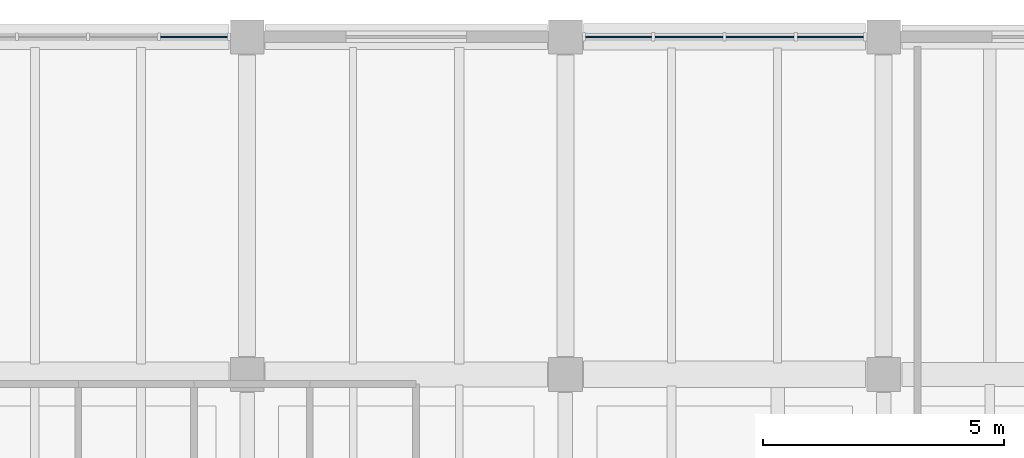
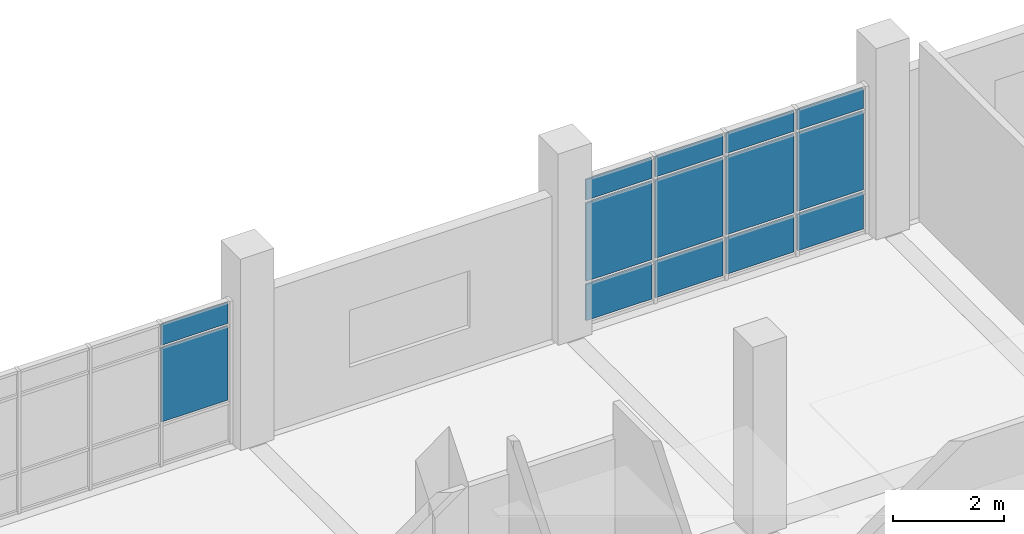
# One storey, part 10 of 20: 14 plates, 2 elements without a shape of their own.
"""IFC4 building model written with IfcOpenShell, lengths in metres."""

import ifcopenshell
import ifcopenshell.guid

model = None  # the IFC model being written
_history = None  # IfcOwnerHistory: only IFC2X3 demands one
_inside = {}  # id of a spatial element -> (the spatial element, [elements in it])
_under = {}  # id of a project, library or spatial element -> (it, [spatial elements below it])
_declared = {}  # id of a project -> (the project, [libraries it declares])
_typed = {}  # id of a type object -> (the type object, [elements of that type])
_made_of = {}  # id of a material, layer set ... -> (it, [elements and type objects made of it])


def new_model(schema):
    """Start an empty IFC model of exactly this schema.

    Asked for "IFC4X3", IfcOpenShell would pick the latest addendum, in which some entities
    have other attributes; the version numbers below select the first issue.
    IFC2X3 requires an IfcOwnerHistory on every rooted entity: one is made here for all.
    """
    global model, _history
    if schema == "IFC4X3":
        model = ifcopenshell.file(schema_version=(4, 3, 0, 0))
    else:
        model = ifcopenshell.file(schema=schema)
    _inside.clear()
    _under.clear()
    _declared.clear()
    _typed.clear()
    _made_of.clear()
    _history = None
    if model.schema == "IFC2X3":
        org = make("IfcOrganization", Name="unknown")
        user = make(
            "IfcPersonAndOrganization",
            ThePerson=make("IfcPerson", FamilyName="unknown"),
            TheOrganization=org,
        )
        app = make(
            "IfcApplication",
            ApplicationDeveloper=org,
            Version="unknown",
            ApplicationFullName="unknown",
            ApplicationIdentifier="unknown",
        )
        _history = make(
            "IfcOwnerHistory",
            OwningUser=user,
            OwningApplication=app,
            ChangeAction="ADDED",
            CreationDate=0,
        )
    return model


def make(cls, **values):
    """One entity of the class cls with the attributes given. An attribute that is None is left unset."""
    return model.create_entity(
        cls, **{name: value for name, value in values.items() if value is not None}
    )


def rooted(cls, **values):
    """An entity with a GlobalId (a new one), such as an element, a storey or a relation."""
    return make(cls, GlobalId=ifcopenshell.guid.new(), OwnerHistory=_history, **values)


def si_unit(unit_type, name, prefix=None):
    """IfcSIUnit, for example si_unit("LENGTHUNIT", "METRE", prefix="MILLI")."""
    return make("IfcSIUnit", UnitType=unit_type, Prefix=prefix, Name=name)


def assignment(units):
    """IfcUnitAssignment: the units of a project."""
    return None if units is None else make("IfcUnitAssignment", Units=units)


def point(xyz):
    """IfcCartesianPoint."""
    return None if xyz is None else make("IfcCartesianPoint", Coordinates=xyz)


def direction(xyz):
    """IfcDirection."""
    return None if xyz is None else make("IfcDirection", DirectionRatios=xyz)


def frame(location, z_axis=None, x_axis=None):
    """IfcAxis2Placement3D, a coordinate frame: its origin and axes. An axis left out is left unset."""
    return make(
        "IfcAxis2Placement3D",
        Location=point(location),
        Axis=direction(z_axis),
        RefDirection=direction(x_axis),
    )


def frame_2d(location, x_axis=None):
    """IfcAxis2Placement2D, a coordinate frame in the plane: its origin and x axis."""
    return make(
        "IfcAxis2Placement2D", Location=point(location), RefDirection=direction(x_axis)
    )


def origin():
    """The frame at (0, 0, 0) with its axes left unset."""
    return frame((0.0, 0.0, 0.0))


def origin_2d():
    """The frame at (0, 0) in the plane with its x axis left unset."""
    return frame_2d((0.0, 0.0))


def place(relative_to, where):
    """IfcLocalPlacement: puts the frame where relative to a parent placement (None: the world)."""
    return make(
        "IfcLocalPlacement", PlacementRelTo=relative_to, RelativePlacement=where
    )


def context(
    kind, dimensions, precision=None, world=None, true_north=None, identifier=None
):
    """IfcGeometricRepresentationContext, for example the 3D "Model" context."""
    return make(
        "IfcGeometricRepresentationContext",
        ContextIdentifier=identifier,
        ContextType=kind,
        CoordinateSpaceDimension=dimensions,
        Precision=precision,
        WorldCoordinateSystem=world,
        TrueNorth=true_north,
    )


def subcontext(parent, identifier, kind, view, scale=None):
    """IfcGeometricRepresentationSubContext, for example "Body" below "Model"."""
    return make(
        "IfcGeometricRepresentationSubContext",
        ContextIdentifier=identifier,
        ContextType=kind,
        ParentContext=parent,
        TargetScale=scale,
        TargetView=view,
    )


def project(units=None, contexts=None):
    """IfcProject with its units and contexts."""
    return rooted(
        "IfcProject",
        Name="project",
        RepresentationContexts=contexts,
        UnitsInContext=assignment(units),
    )


def spatial(cls, under=None, at=None, **own):
    """A site, building, storey or space (cls), placed at a placement, below another one or the project."""
    s = rooted(cls, ObjectPlacement=at, **own)
    if under is not None:
        _under.setdefault(under.id(), (under, []))[1].append(s)
    return s


def profile(cls, at=None, kind="AREA", **sizes):
    """A parametric profile (cls). Its sizes go by their IFC names, for example OverallWidth=200.0."""
    return make(cls, ProfileType=kind, Position=at, **sizes)


def rectangle(**sizes):
    """IfcRectangleProfileDef."""
    return profile("IfcRectangleProfileDef", **sizes)


def extrude(swept, where, along, depth):
    """IfcExtrudedAreaSolid: the profile swept, set in the frame where, extruded along a direction by depth."""
    return make(
        "IfcExtrudedAreaSolid",
        SweptArea=swept,
        Position=where,
        ExtrudedDirection=direction(along),
        Depth=depth,
    )


def shape(context_of_items, identifier, shape_type, items):
    """IfcShapeRepresentation: the items that make up one representation, for example the "Body"."""
    return make(
        "IfcShapeRepresentation",
        ContextOfItems=context_of_items,
        RepresentationIdentifier=identifier,
        RepresentationType=shape_type,
        Items=items,
    )


def material(Name=None, Category=None):
    """IfcMaterial."""
    return make("IfcMaterial", Name=Name, Category=Category)


def layer(
    of_material, thickness, ventilated=None, Name=None, Category=None, Priority=None
):
    """IfcMaterialLayer: one layer of a wall or slab, of a material (None: an air gap)."""
    return make(
        "IfcMaterialLayer",
        Material=of_material,
        LayerThickness=thickness,
        IsVentilated=ventilated,
        Name=Name,
        Category=Category,
        Priority=Priority,
    )


def layer_set(layers, Name=None):
    """IfcMaterialLayerSet."""
    return make("IfcMaterialLayerSet", MaterialLayers=layers, LayerSetName=Name)


def made_of(thing, what):
    """Note that an element or type object is made of a material, layer set ...; save() writes the relation."""
    if what is not None:
        _made_of.setdefault(what.id(), (what, []))[1].append(thing)
    return thing


def type_object(cls, material=None, **own):
    """A type object (cls), such as IfcWallType, which elements share."""
    return made_of(rooted(cls, **own), material)


def element(
    cls,
    number,
    at=None,
    inside=None,
    cuts=None,
    type_object=None,
    material=None,
    context=None,
    identifier="Body",
    shape_type=None,
    held_by="IfcProductDefinitionShape",
    body=None,
    shapes=None,
    **own,
):
    """One element of the class cls, such as IfcWall. Its Tag is "e" and its number.

    at: its placement. inside: the storey or other place that contains it. cuts: it is an
    opening in that element (IfcRelVoidsElement). A single representation is given by context,
    identifier, shape_type and body (its items); several are given by shapes. held_by: the class
    of the entity that holds the representations. save() writes the other relations.
    """
    e = rooted(cls, Tag="e%d" % number, ObjectPlacement=at, **own)
    if body is not None:
        shapes = [shape(context, identifier, shape_type, body)]
    if shapes is not None:
        e.Representation = make(held_by, Representations=shapes)
    if inside is not None:
        _inside.setdefault(inside.id(), (inside, []))[1].append(e)
    if cuts is not None:
        rooted(
            "IfcRelVoidsElement", RelatingBuildingElement=cuts, RelatedOpeningElement=e
        )
    if type_object is not None:
        _typed.setdefault(type_object.id(), (type_object, []))[1].append(e)
    return made_of(e, material)


def aggregate(whole, parts):
    """IfcRelAggregates: a whole, such as a stair, and the parts it consists of."""
    return rooted("IfcRelAggregates", RelatingObject=whole, RelatedObjects=parts)


def save(model, path):
    """Write the relations noted so far, then the file.

    IfcRelAggregates (storeys below a building ...), IfcRelContainedInSpatialStructure (elements
    in a storey), IfcRelDefinesByType, IfcRelAssociatesMaterial and IfcRelDeclares: one each for
    every whole, place, type object, material and project.
    """
    for whole, parts in _under.values():
        aggregate(whole, parts)
    for where, things in _inside.values():
        rooted(
            "IfcRelContainedInSpatialStructure",
            RelatedElements=things,
            RelatingStructure=where,
        )
    for kind, things in _typed.values():
        rooted("IfcRelDefinesByType", RelatedObjects=things, RelatingType=kind)
    for what, things in _made_of.values():
        rooted("IfcRelAssociatesMaterial", RelatedObjects=things, RelatingMaterial=what)
    for by, libraries in _declared.values():
        rooted("IfcRelDeclares", RelatingContext=by, RelatedDefinitions=libraries)
    model.write(path)


model = new_model("IFC4")

# Units and contexts
model_context = context("Model", 3, precision=1e-05, world=origin(), true_north=direction((0.0, 1.0)))
body_context = subcontext(model_context, "Body", "Model", "MODEL_VIEW")
ifc_project = project(units=[si_unit("LENGTHUNIT", "METRE"), si_unit("AREAUNIT", "SQUARE_METRE"), si_unit("VOLUMEUNIT", "CUBIC_METRE"), si_unit("PLANEANGLEUNIT", "RADIAN"), si_unit("MASSUNIT", "GRAM", prefix="KILO")], contexts=[model_context])

# Site, building, storey
site_placement = place(None, origin())
site = spatial("IfcSite", under=ifc_project, at=site_placement, CompositionType="ELEMENT")
building_placement = place(site_placement, origin())
building = spatial("IfcBuilding", under=site, at=building_placement, Name="Ciguamira Faculty of Natural Sciences", CompositionType="ELEMENT")
storey_placement = place(building_placement, frame((0.0, 0.0, 21.0)))
storey = spatial("IfcBuildingStorey", under=building, at=storey_placement, Name="L05", CompositionType="ELEMENT", Elevation=21.0)

# Curtain wall, plates
ifc_material_1 = material(Name="Anodized aluminium curtain wall", Category="aluminium")
curtain_wall_type_1 = type_object("IfcCurtainWallType", Name="CurtainWall_CW-07", PredefinedType="USERDEFINED", material=ifc_material_1)
curtain_wall_1_placement = place(storey_placement, origin())
curtain_wall_1 = element("IfcCurtainWall", 1, at=curtain_wall_1_placement, inside=storey, type_object=curtain_wall_type_1, Name="L05 unitised curtain wall 0139", ObjectType="UNITISED CURTAIN WALL", PredefinedType="USERDEFINED")
ifc_material_2 = material(Name="Low-E laminated solar glass", Category="glass")
ifc_layer_1 = layer(ifc_material_2, 0.028076171875, Name="Low-E laminated solar glass")
ifc_layer_set_1 = layer_set([ifc_layer_1], Name="Low-E laminated solar glass")
plate_type_1 = type_object("IfcPlateType", Name="CWPanel_CWP-01", PredefinedType="CURTAIN_PANEL", material=ifc_layer_set_1)
plate_1_placement = place(storey_placement, frame((89.197509765625, 115.0, 0.929931640625), z_axis=(0.0, 0.0, 1.0), x_axis=(1.0, 0.0, 0.0)))
plate_1 = element("IfcPlate", 2, at=plate_1_placement, type_object=plate_type_1, Name="CW-07 panel 4.2", PredefinedType="CURTAIN_PANEL", context=body_context, shape_type="SweptSolid", body=[
    extrude(rectangle(XDim=1.385009765625, YDim=0.028076171875, at=origin_2d()), origin(), (0.0, 0.0, 1.0), 1.625),
])
plate_2_placement = place(storey_placement, frame((89.197509765625, 115.0, 2.614990234375), z_axis=(0.0, 0.0, 1.0), x_axis=(1.0, 0.0, 0.0)))
plate_2 = element("IfcPlate", 3, at=plate_2_placement, type_object=plate_type_1, Name="CW-07 panel 4.3", PredefinedType="CURTAIN_PANEL", context=body_context, shape_type="SweptSolid", body=[
    extrude(rectangle(XDim=1.385009765625, YDim=0.028076171875, at=origin_2d()), origin(), (0.0, 0.0, 1.0), 0.4599609375),
])
aggregate(curtain_wall_1, [plate_1, plate_2])

curtain_wall_type_2 = type_object("IfcCurtainWallType", Name="CurtainWall_CW-08", PredefinedType="USERDEFINED", material=ifc_material_1)
curtain_wall_2_placement = place(storey_placement, origin())
curtain_wall_2 = element("IfcCurtainWall", 4, at=curtain_wall_2_placement, inside=storey, type_object=curtain_wall_type_2, Name="L05 unitised curtain wall 0140", ObjectType="UNITISED CURTAIN WALL", PredefinedType="USERDEFINED")
ifc_layer_2 = layer(ifc_material_2, 0.035888671875, Name="Low-E laminated solar glass")
ifc_layer_set_2 = layer_set([ifc_layer_2], Name="Low-E laminated solar glass")
plate_type_2 = type_object("IfcPlateType", Name="CWPanel_CWP-02", PredefinedType="CURTAIN_PANEL", material=ifc_layer_set_2)
plate_3_placement = place(storey_placement, frame((98.0048828125, 115.0, 0.070068359375), z_axis=(0.0, 0.0, 1.0), x_axis=(1.0, 0.0, 0.0)))
plate_3 = element("IfcPlate", 5, at=plate_3_placement, type_object=plate_type_2, Name="CW-08 panel 1.1", PredefinedType="CURTAIN_PANEL", context=body_context, shape_type="SweptSolid", body=[
    extrude(rectangle(XDim=1.3701171875, YDim=0.035888671875, at=origin_2d()), origin(), (0.0, 0.0, 1.0), 0.794921875),
])
plate_4_placement = place(storey_placement, frame((98.0048828125, 115.0, 0.93505859375), z_axis=(0.0, 0.0, 1.0), x_axis=(1.0, 0.0, 0.0)))
plate_4 = element("IfcPlate", 6, at=plate_4_placement, type_object=plate_type_2, Name="CW-08 panel 1.2", PredefinedType="CURTAIN_PANEL", context=body_context, shape_type="SweptSolid", body=[
    extrude(rectangle(XDim=1.3701171875, YDim=0.035888671875, at=origin_2d()), origin(), (0.0, 0.0, 1.0), 1.715087890625),
])
plate_5_placement = place(storey_placement, frame((98.0048828125, 115.0, 2.7197265625), z_axis=(0.0, 0.0, 1.0), x_axis=(1.0, 0.0, 0.0)))
plate_5 = element("IfcPlate", 7, at=plate_5_placement, type_object=plate_type_2, Name="CW-08 panel 1.3", PredefinedType="CURTAIN_PANEL", context=body_context, shape_type="SweptSolid", body=[
    extrude(rectangle(XDim=1.3701171875, YDim=0.035888671875, at=origin_2d()), origin(), (0.0, 0.0, 1.0), 0.445068359375),
])
plate_6_placement = place(storey_placement, frame((99.46240234375, 115.0, 0.070068359375), z_axis=(0.0, 0.0, 1.0), x_axis=(1.0, 0.0, 0.0)))
plate_6 = element("IfcPlate", 8, at=plate_6_placement, type_object=plate_type_2, Name="CW-08 panel 2.1", PredefinedType="CURTAIN_PANEL", context=body_context, shape_type="SweptSolid", body=[
    extrude(rectangle(XDim=1.405029296875, YDim=0.035888671875, at=origin_2d()), origin(), (0.0, 0.0, 1.0), 0.794921875),
])
plate_7_placement = place(storey_placement, frame((99.46240234375, 115.0, 0.93505859375), z_axis=(0.0, 0.0, 1.0), x_axis=(1.0, 0.0, 0.0)))
plate_7 = element("IfcPlate", 9, at=plate_7_placement, type_object=plate_type_2, Name="CW-08 panel 2.2", PredefinedType="CURTAIN_PANEL", context=body_context, shape_type="SweptSolid", body=[
    extrude(rectangle(XDim=1.405029296875, YDim=0.035888671875, at=origin_2d()), origin(), (0.0, 0.0, 1.0), 1.715087890625),
])
plate_8_placement = place(storey_placement, frame((99.46240234375, 115.0, 2.7197265625), z_axis=(0.0, 0.0, 1.0), x_axis=(1.0, 0.0, 0.0)))
plate_8 = element("IfcPlate", 10, at=plate_8_placement, type_object=plate_type_2, Name="CW-08 panel 2.3", PredefinedType="CURTAIN_PANEL", context=body_context, shape_type="SweptSolid", body=[
    extrude(rectangle(XDim=1.405029296875, YDim=0.035888671875, at=origin_2d()), origin(), (0.0, 0.0, 1.0), 0.445068359375),
])
plate_9_placement = place(storey_placement, frame((100.9375, 115.0, 0.070068359375), z_axis=(0.0, 0.0, 1.0), x_axis=(1.0, 0.0, 0.0)))
plate_9 = element("IfcPlate", 11, at=plate_9_placement, type_object=plate_type_2, Name="CW-08 panel 3.1", PredefinedType="CURTAIN_PANEL", context=body_context, shape_type="SweptSolid", body=[
    extrude(rectangle(XDim=1.405029296875, YDim=0.035888671875, at=origin_2d()), origin(), (0.0, 0.0, 1.0), 0.794921875),
])
plate_10_placement = place(storey_placement, frame((100.9375, 115.0, 0.93505859375), z_axis=(0.0, 0.0, 1.0), x_axis=(1.0, 0.0, 0.0)))
plate_10 = element("IfcPlate", 12, at=plate_10_placement, type_object=plate_type_2, Name="CW-08 panel 3.2", PredefinedType="CURTAIN_PANEL", context=body_context, shape_type="SweptSolid", body=[
    extrude(rectangle(XDim=1.405029296875, YDim=0.035888671875, at=origin_2d()), origin(), (0.0, 0.0, 1.0), 1.715087890625),
])
plate_11_placement = place(storey_placement, frame((100.9375, 115.0, 2.7197265625), z_axis=(0.0, 0.0, 1.0), x_axis=(1.0, 0.0, 0.0)))
plate_11 = element("IfcPlate", 13, at=plate_11_placement, type_object=plate_type_2, Name="CW-08 panel 3.3", PredefinedType="CURTAIN_PANEL", context=body_context, shape_type="SweptSolid", body=[
    extrude(rectangle(XDim=1.405029296875, YDim=0.035888671875, at=origin_2d()), origin(), (0.0, 0.0, 1.0), 0.445068359375),
])
plate_12_placement = place(storey_placement, frame((102.39501953125, 115.0, 0.070068359375), z_axis=(0.0, 0.0, 1.0), x_axis=(1.0, 0.0, 0.0)))
plate_12 = element("IfcPlate", 14, at=plate_12_placement, type_object=plate_type_2, Name="CW-08 panel 4.1", PredefinedType="CURTAIN_PANEL", context=body_context, shape_type="SweptSolid", body=[
    extrude(rectangle(XDim=1.3701171875, YDim=0.035888671875, at=origin_2d()), origin(), (0.0, 0.0, 1.0), 0.794921875),
])
plate_13_placement = place(storey_placement, frame((102.39501953125, 115.0, 0.93505859375), z_axis=(0.0, 0.0, 1.0), x_axis=(1.0, 0.0, 0.0)))
plate_13 = element("IfcPlate", 15, at=plate_13_placement, type_object=plate_type_2, Name="CW-08 panel 4.2", PredefinedType="CURTAIN_PANEL", context=body_context, shape_type="SweptSolid", body=[
    extrude(rectangle(XDim=1.3701171875, YDim=0.035888671875, at=origin_2d()), origin(), (0.0, 0.0, 1.0), 1.715087890625),
])
plate_14_placement = place(storey_placement, frame((102.39501953125, 115.0, 2.7197265625), z_axis=(0.0, 0.0, 1.0), x_axis=(1.0, 0.0, 0.0)))
plate_14 = element("IfcPlate", 16, at=plate_14_placement, type_object=plate_type_2, Name="CW-08 panel 4.3", PredefinedType="CURTAIN_PANEL", context=body_context, shape_type="SweptSolid", body=[
    extrude(rectangle(XDim=1.3701171875, YDim=0.035888671875, at=origin_2d()), origin(), (0.0, 0.0, 1.0), 0.445068359375),
])
aggregate(curtain_wall_2, [plate_3, plate_4, plate_5, plate_6, plate_7, plate_8, plate_9, plate_10, plate_11, plate_12, plate_13, plate_14])

save(model, "model.ifc")
